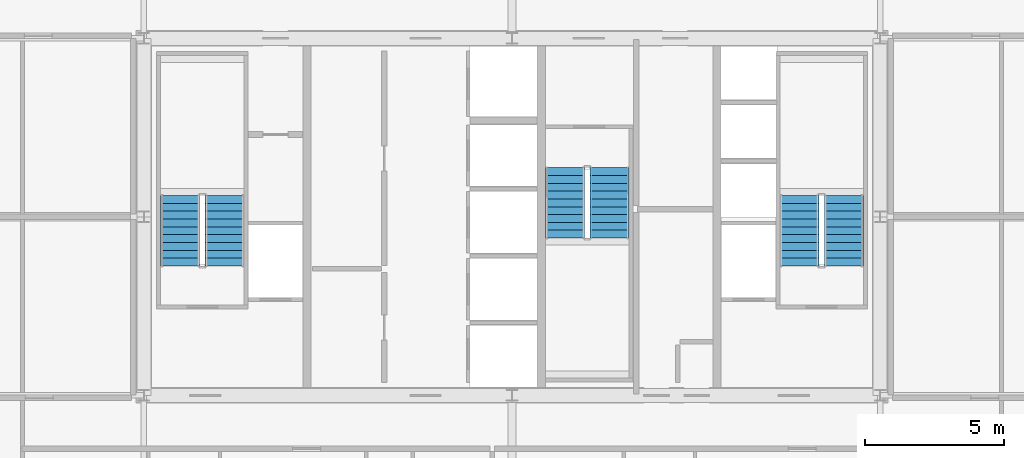
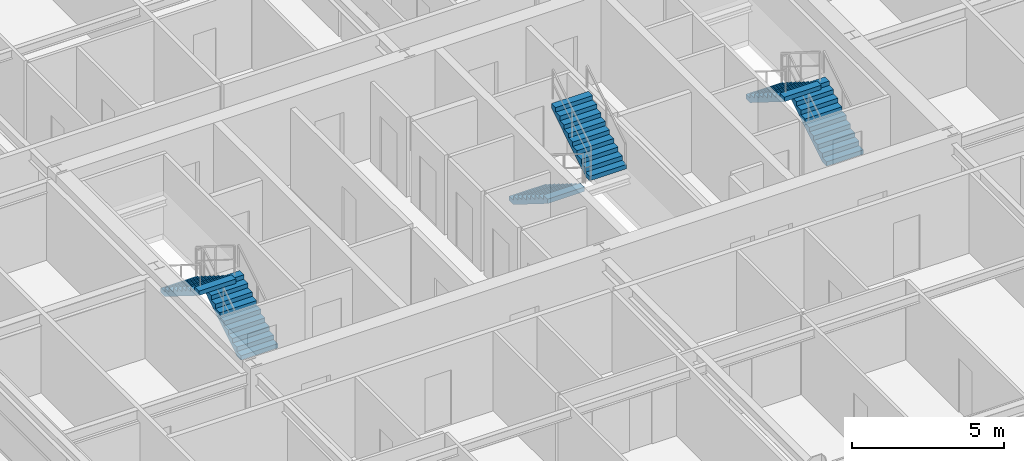
# One storey, part 35 of 36: 6 stair flights, 3 elements without a shape of their own.
"""IFC4 building model written with IfcOpenShell, lengths in metres."""

from ifc_helpers import new_model, si_unit, direction, frame, origin, place, context, subcontext, project, spatial, polyline, outline, extrude, source, transform, mapped, material, type_object, element, aggregate, save


model = new_model("IFC4")

# Units and contexts
model_context = context("Model", 3, precision=1e-05, world=origin(), true_north=direction((0.0, 1.0)))
body_context = subcontext(model_context, "Body", "Model", "MODEL_VIEW")
ifc_project = project(units=[si_unit("LENGTHUNIT", "METRE"), si_unit("AREAUNIT", "SQUARE_METRE"), si_unit("VOLUMEUNIT", "CUBIC_METRE"), si_unit("PLANEANGLEUNIT", "RADIAN"), si_unit("MASSUNIT", "GRAM", prefix="KILO"), si_unit("THERMODYNAMICTEMPERATUREUNIT", "KELVIN"), si_unit("POWERUNIT", "WATT")], contexts=[model_context])

# Site, building, storey
site_placement = place(None, origin())
site = spatial("IfcSite", under=ifc_project, at=site_placement, CompositionType="ELEMENT")
building_placement = place(site_placement, origin())
building = spatial("IfcBuilding", under=site, at=building_placement, Name="Yuzanri Waterfront Tower", CompositionType="ELEMENT")
storey_placement = place(building_placement, frame((0.0, 0.0, 255.60009765625)))
storey = spatial("IfcBuildingStorey", under=building, at=storey_placement, Name="L68", CompositionType="ELEMENT", Elevation=255.60009765625)

# Stair, stair flights
ifc_material_1 = material(Name="Concrete C40", Category="concrete")
stair_type = type_object("IfcStairType", Name="Concrete C40 Core Dogleg Exit Stair", PredefinedType="HALF_TURN_STAIR", material=ifc_material_1)
stair_1_placement = place(storey_placement, origin())
stair_1 = element("IfcStair", 1, at=stair_1_placement, inside=storey, type_object=stair_type, Name="L68 Smoke-Proof Core Stair ST-01", PredefinedType="HALF_TURN_STAIR")
ifc_material_2 = material(Name="Concrete C40", Category="concrete")
stair_flight_type = type_object("IfcStairFlightType", Name="Concrete C40 Precast Stair Flight 1380", PredefinedType="STRAIGHT", material=ifc_material_2)
shared_shape = source(origin(), body_context, "Body", "SweptSolid", [
    extrude(outline(polyline([(0.0, 0.0), (0.0, 0.175048828125), (0.280029296875, 0.175048828125), (0.280029296875, 0.35009765625), (0.56005859375, 0.35009765625), (0.56005859375, 0.52490234375), (0.840087890625, 0.52490234375), (0.840087890625, 0.699951171875), (1.1201171875, 0.699951171875), (1.1201171875, 0.875), (1.39990234375, 0.875), (1.39990234375, 1.050048828125), (1.679931640625, 1.050048828125), (1.679931640625, 1.22509765625), (1.9599609375, 1.22509765625), (1.9599609375, 1.39990234375), (2.239990234375, 1.39990234375), (2.239990234375, 1.574951171875), (2.52001953125, 1.574951171875), (2.52001953125, 1.75), (2.52001953125, 1.398193359375), (0.28271484375, 0.0), (0.0, 0.0)])), frame((0.0, 0.699951171875, 0.0), z_axis=(0.0, -1.0, 0.0), x_axis=(1.0, 0.0, 0.0)), (0.0, 0.0, 1.0), 1.39990234375),
])
stair_flight_1_placement = place(storey_placement, frame((26.699951171875, 24.0400390625, 0.0), z_axis=(0.0, 0.0, 1.0), x_axis=(0.0, 1.0, 0.0)))
stair_flight_1 = element("IfcStairFlight", 2, at=stair_flight_1_placement, type_object=stair_flight_type, Name="ST-01 flight 1", NumberOfRisers=10, NumberOfTreads=9, PredefinedType="STRAIGHT", RiserHeight=0.175, TreadLength=0.28, context=body_context, shape_type="MappedRepresentation", body=[
    mapped(shared_shape, transform((0.0, 0.0, 0.0), scale=1.0)),
])
stair_flight_2_placement = place(storey_placement, frame((25.10009765625, 26.56005859375, 1.75), z_axis=(0.0, 0.0, 1.0), x_axis=(0.0, -1.0, 0.0)))
stair_flight_2 = element("IfcStairFlight", 3, at=stair_flight_2_placement, type_object=stair_flight_type, Name="ST-01 flight 2", NumberOfRisers=10, NumberOfTreads=9, PredefinedType="STRAIGHT", RiserHeight=0.175, TreadLength=0.28, context=body_context, shape_type="MappedRepresentation", body=[
    mapped(shared_shape, transform((0.0, 0.0, 0.0), scale=1.0)),
])
aggregate(stair_1, [stair_flight_1, stair_flight_2])

stair_2_placement = place(storey_placement, origin())
stair_2 = element("IfcStair", 4, at=stair_2_placement, inside=storey, type_object=stair_type, Name="L68 Smoke-Proof Core Stair ST-02", PredefinedType="HALF_TURN_STAIR")
stair_flight_3_placement = place(storey_placement, frame((48.89990234375, 24.0400390625, 0.0), z_axis=(0.0, 0.0, 1.0), x_axis=(0.0, 1.0, 0.0)))
stair_flight_3 = element("IfcStairFlight", 5, at=stair_flight_3_placement, type_object=stair_flight_type, Name="ST-02 flight 1", NumberOfRisers=10, NumberOfTreads=9, PredefinedType="STRAIGHT", RiserHeight=0.175, TreadLength=0.28, context=body_context, shape_type="MappedRepresentation", body=[
    mapped(shared_shape, transform((0.0, 0.0, 0.0), scale=1.0)),
])
stair_flight_4_placement = place(storey_placement, frame((47.300048828125, 26.56005859375, 1.75), z_axis=(0.0, 0.0, 1.0), x_axis=(0.0, -1.0, 0.0)))
stair_flight_4 = element("IfcStairFlight", 6, at=stair_flight_4_placement, type_object=stair_flight_type, Name="ST-02 flight 2", NumberOfRisers=10, NumberOfTreads=9, PredefinedType="STRAIGHT", RiserHeight=0.175, TreadLength=0.28, context=body_context, shape_type="MappedRepresentation", body=[
    mapped(shared_shape, transform((0.0, 0.0, 0.0), scale=1.0)),
])
aggregate(stair_2, [stair_flight_3, stair_flight_4])

stair_3_placement = place(storey_placement, origin())
stair_3 = element("IfcStair", 7, at=stair_3_placement, inside=storey, type_object=stair_type, Name="L68 Smoke-Proof Core Stair ST-03", PredefinedType="HALF_TURN_STAIR")
stair_flight_5_placement = place(storey_placement, frame((38.89990234375, 27.56005859375, 0.0), z_axis=(0.0, 0.0, 1.0), x_axis=(0.0, -1.0, 0.0)))
stair_flight_5 = element("IfcStairFlight", 8, at=stair_flight_5_placement, type_object=stair_flight_type, Name="ST-03 flight 1", NumberOfRisers=10, NumberOfTreads=9, PredefinedType="STRAIGHT", RiserHeight=0.175, TreadLength=0.28, context=body_context, shape_type="MappedRepresentation", body=[
    mapped(shared_shape, transform((0.0, 0.0, 0.0), scale=1.0)),
])
stair_flight_6_placement = place(storey_placement, frame((40.5, 25.0400390625, 1.75), z_axis=(0.0, 0.0, 1.0), x_axis=(0.0, 1.0, 0.0)))
stair_flight_6 = element("IfcStairFlight", 9, at=stair_flight_6_placement, type_object=stair_flight_type, Name="ST-03 flight 2", NumberOfRisers=10, NumberOfTreads=9, PredefinedType="STRAIGHT", RiserHeight=0.175, TreadLength=0.28, context=body_context, shape_type="MappedRepresentation", body=[
    mapped(shared_shape, transform((0.0, 0.0, 0.0), scale=1.0)),
])
aggregate(stair_3, [stair_flight_5, stair_flight_6])

save(model, "model.ifc")
